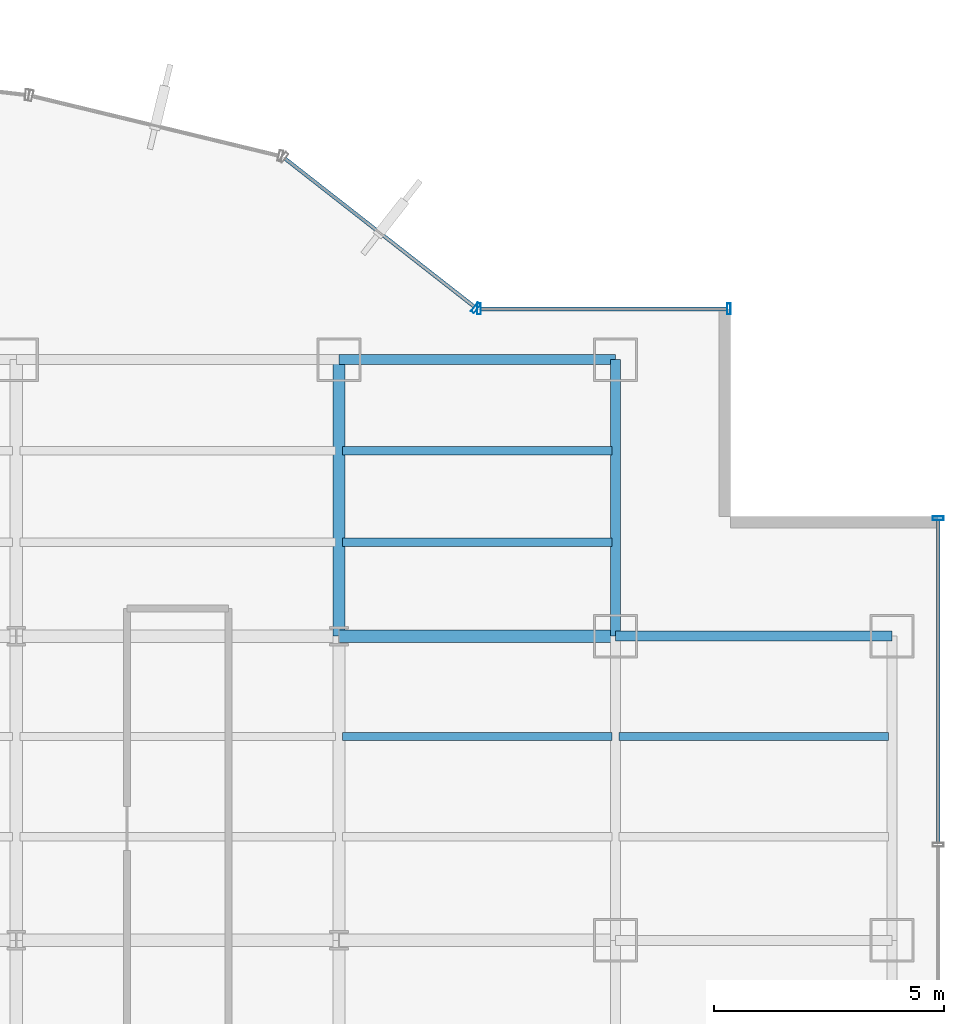
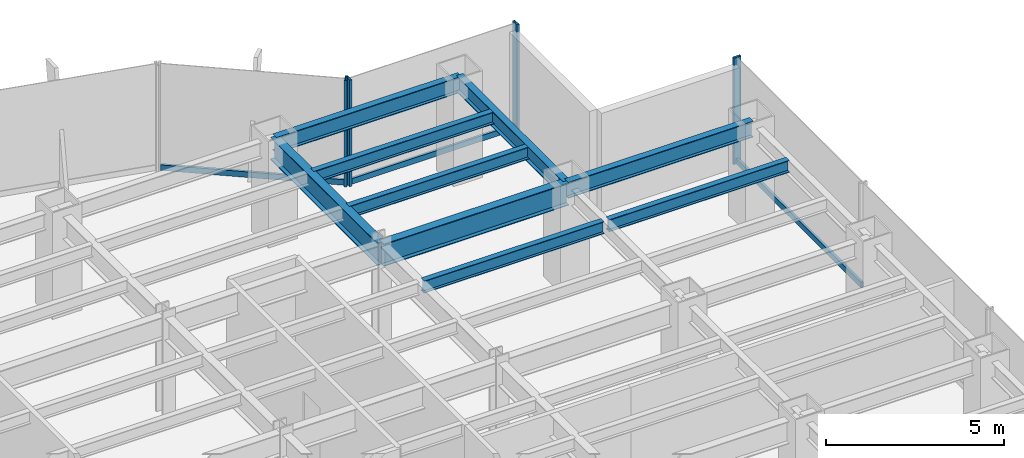
# One storey, part 15 of 22: 9 beams, 7 members, 3 elements without a shape of their own.
"""IFC4 building model written with IfcOpenShell, lengths in metres."""

from ifc_helpers import new_model, si_unit, derived_unit, direction, frame, origin, origin_2d, place, context, subcontext, project, spatial, hollow_rectangle, i_section, extrude, source, transform, mapped, material, material_profile, profile_set, type_object, element, aggregate, save


model = new_model("IFC4")

# Units and contexts
model_context = context("Model", 3, precision=1e-05, world=origin(), true_north=direction((0.0, 1.0)))
body_context = subcontext(model_context, "Body", "Model", "MODEL_VIEW")
ifc_project = project(units=[si_unit("LENGTHUNIT", "METRE"), si_unit("AREAUNIT", "SQUARE_METRE"), si_unit("VOLUMEUNIT", "CUBIC_METRE"), si_unit("PLANEANGLEUNIT", "RADIAN"), si_unit("MASSUNIT", "GRAM", prefix="KILO"), derived_unit("THERMALTRANSMITTANCEUNIT", [(si_unit("POWERUNIT", "WATT"), 1), (si_unit("LENGTHUNIT", "METRE"), -2), (si_unit("THERMODYNAMICTEMPERATUREUNIT", "KELVIN"), -1)])], contexts=[model_context])

# Site, building, storey
site_placement = place(None, origin())
site = spatial("IfcSite", under=ifc_project, at=site_placement, CompositionType="ELEMENT")
building_placement = place(site_placement, origin())
building = spatial("IfcBuilding", under=site, at=building_placement, Name="Skarnbrae Concourse Arena and Tower", CompositionType="ELEMENT")
storey_placement = place(building_placement, frame((0.0, 0.0, 32.5)))
storey = spatial("IfcBuildingStorey", under=building, at=storey_placement, Name="L06", CompositionType="ELEMENT", Elevation=32.5)

# Beams
ifc_material_1 = material(Name="Steel CSA G40.21 350W", Category="steel")
ifc_material_profile_1 = material_profile(ifc_material_1, i_section(OverallWidth=0.214111328125, OverallDepth=0.549072265625, WebThickness=0.0146484375, FlangeThickness=0.023681640625, at=origin_2d()), Name="W530X138")
ifc_profile_set_1 = profile_set([ifc_material_profile_1], Name="Steel CSA G40.21 350W")
beam_type_1 = type_object("IfcBeamType", Name="BM-SPAN-W530X138", PredefinedType="SPANDREL", material=ifc_profile_set_1)
shared_shape_1 = source(origin(), body_context, "Body", "SweptSolid", [
    extrude(i_section(OverallWidth=0.214111328125, OverallDepth=0.549072265625, WebThickness=0.0146484375, FlangeThickness=0.023681640625, at=origin_2d()), origin(), (0.0, 0.0, 1.0), 6.0),
])
for number, where, z_axis, x_axis, name in (
    (1, (55.0, 34.39990234375, 3.12548828125), (1.0, 0.0, 0.0), (0.0, 1.0, 0.0), "L06 Perimeter spandrel Y34.4-9"),
    (2, (49.0, 40.39990234375, 3.12548828125), (1.0, 0.0, 0.0), (0.0, 1.0, 0.0), "L06 Perimeter spandrel Y40.4-7"),
    (3, (55.0, 34.39990234375, 3.12548828125), (0.0, 1.0, 0.0), (-1.0, 0.0, 0.0), "L06 Perimeter spandrel X55.0-5"),
):
    element("IfcBeam", number, at=place(storey_placement, frame(where, z_axis=z_axis, x_axis=x_axis)), inside=storey, type_object=beam_type_1, Name=name, PredefinedType="SPANDREL", context=body_context, shape_type="MappedRepresentation", body=[
        mapped(shared_shape_1, transform((0.0, 0.0, 0.0))),
    ])
ifc_material_profile_2 = material_profile(ifc_material_1, i_section(OverallWidth=0.26806640625, OverallDepth=0.77001953125, WebThickness=0.015625, FlangeThickness=0.025390625, at=origin_2d()), Name="W760X196")
ifc_profile_set_2 = profile_set([ifc_material_profile_2], Name="Steel CSA G40.21 350W")
beam_type_2 = type_object("IfcBeamType", Name="BM-GIRD-W760X196", PredefinedType="BEAM", material=ifc_profile_set_2)
shared_shape_2 = source(origin(), body_context, "Body", "SweptSolid", [
    extrude(i_section(OverallWidth=0.26806640625, OverallDepth=0.77001953125, WebThickness=0.015625, FlangeThickness=0.025390625, at=origin_2d()), origin(), (0.0, 0.0, 1.0), 6.0),
])
for number, where, z_axis, x_axis, name in (
    (4, (49.0, 34.39990234375, 3.014892578125), (1.0, 0.0, 0.0), (0.0, 1.0, 0.0), "L06 Primary E-W girder Y34.4-8"),
    (5, (49.0, 34.39990234375, 3.014892578125), (0.0, 1.0, 0.0), (-1.0, 0.0, 0.0), "L06 Primary N-S girder X49.0-5"),
):
    element("IfcBeam", number, at=place(storey_placement, frame(where, z_axis=z_axis, x_axis=x_axis)), inside=storey, type_object=beam_type_2, Name=name, PredefinedType="BEAM", context=body_context, shape_type="MappedRepresentation", body=[
        mapped(shared_shape_2, transform((0.0, 0.0, 0.0))),
    ])
ifc_material_profile_3 = material_profile(ifc_material_1, i_section(OverallWidth=0.180908203125, OverallDepth=0.4169921875, WebThickness=0.010986328125, FlangeThickness=0.018310546875, at=origin_2d()), Name="W410X85")
ifc_profile_set_3 = profile_set([ifc_material_profile_3], Name="Steel CSA G40.21 350W")
beam_type_3 = type_object("IfcBeamType", Name="BM-JOIST-W410X85", PredefinedType="JOIST", material=ifc_profile_set_3)
shared_shape_3 = source(origin(), body_context, "Body", "SweptSolid", [
    extrude(i_section(OverallWidth=0.180908203125, OverallDepth=0.4169921875, WebThickness=0.010986328125, FlangeThickness=0.018310546875, at=origin_2d()), origin(), (0.0, 0.0, 1.0), 5.83984375),
])
for number, where, z_axis, x_axis, name in (
    (6, (49.080078125, 32.221923828125, 3.19140625), (1.0, 0.0, 0.0), (0.0, 1.0, 0.0), "L06 Secondary floor joist 3.2.8"),
    (7, (55.080078125, 32.221923828125, 3.19140625), (1.0, 0.0, 0.0), (0.0, 1.0, 0.0), "L06 Secondary floor joist 3.2.9"),
    (8, (49.080078125, 36.43994140625, 3.19140625), (1.0, 0.0, 0.0), (0.0, 1.0, 0.0), "L06 Secondary floor joist 4.1.7"),
    (9, (49.080078125, 38.419921875, 3.19140625), (1.0, 0.0, 0.0), (0.0, 1.0, 0.0), "L06 Secondary floor joist 4.2.7"),
):
    element("IfcBeam", number, at=place(storey_placement, frame(where, z_axis=z_axis, x_axis=x_axis)), inside=storey, type_object=beam_type_3, Name=name, PredefinedType="JOIST", context=body_context, shape_type="MappedRepresentation", body=[
        mapped(shared_shape_3, transform((0.0, 0.0, 0.0))),
    ])

# Curtain wall, member
ifc_material_2 = material(Name="Bronze anodised aluminium 6063-T6", Category="aluminium")
curtain_wall_type = type_object("IfcCurtainWallType", Name="CW-SYS-02-LOWZONE", PredefinedType="USERDEFINED", material=ifc_material_2)
curtain_wall_1_placement = place(storey_placement, origin())
curtain_wall_1 = element("IfcCurtainWall", 10, at=curtain_wall_1_placement, inside=storey, type_object=curtain_wall_type, Name="L06 Unitised curtain wall CW-L06-E04", ObjectType="UNITISED CURTAIN WALL", PredefinedType="USERDEFINED")
ifc_material_profile_4 = material_profile(ifc_material_2, hollow_rectangle(XDim=0.080078125, YDim=0.239990234375, WallThickness=0.0048828125, at=origin_2d()), Name="ALU-MULL-80X240")
ifc_profile_set_4 = profile_set([ifc_material_profile_4], Name="Bronze anodised aluminium 6063-T6")
member_type_1 = type_object("IfcMemberType", Name="CWM-CW-02", PredefinedType="MULLION", material=ifc_profile_set_4)
shared_shape_4 = source(origin(), body_context, "Body", "SweptSolid", [
    extrude(hollow_rectangle(XDim=0.080078125, YDim=0.239990234375, WallThickness=0.0048828125, at=origin_2d()), origin(), (0.0, 0.0, 1.0), 3.64990234375),
])
member_1_placement = place(storey_placement, frame((62.0, 36.9599609375, 0.0), z_axis=(0.0, 0.0, 1.0), x_axis=(0.0, 1.0, 0.0)))
member_1 = element("IfcMember", 11, at=member_1_placement, type_object=member_type_1, Name="CW-L06-E04 Mullion 5", PredefinedType="MULLION", context=body_context, shape_type="MappedRepresentation", body=[
    mapped(shared_shape_4, transform((0.0, 0.0, 0.0))),
])

# Curtain wall, members
curtain_wall_2_placement = place(storey_placement, origin())
curtain_wall_2 = element("IfcCurtainWall", 12, at=curtain_wall_2_placement, inside=storey, type_object=curtain_wall_type, Name="L06 Unitised curtain wall CW-L06-E07", ObjectType="UNITISED CURTAIN WALL", PredefinedType="USERDEFINED")
member_2_placement = place(storey_placement, frame((57.4599609375, 41.5, 0.0), z_axis=(0.0, 0.0, 1.0), x_axis=(-1.0, 0.0, 0.0)))
member_2 = element("IfcMember", 13, at=member_2_placement, type_object=member_type_1, Name="CW-L06-E07 Mullion 1", PredefinedType="MULLION", context=body_context, shape_type="MappedRepresentation", body=[
    mapped(shared_shape_4, transform((0.0, 0.0, 0.0))),
])
member_3_placement = place(storey_placement, frame((52.0400390625, 41.5, 0.0), z_axis=(0.0, 0.0, 1.0), x_axis=(-1.0, 0.0, 0.0)))
member_3 = element("IfcMember", 14, at=member_3_placement, type_object=member_type_1, Name="CW-L06-E07 Mullion 2", PredefinedType="MULLION", context=body_context, shape_type="MappedRepresentation", body=[
    mapped(shared_shape_4, transform((0.0, 0.0, 0.0))),
])

# Curtain wall, member
curtain_wall_3_placement = place(storey_placement, origin())
curtain_wall_3 = element("IfcCurtainWall", 15, at=curtain_wall_3_placement, inside=storey, type_object=curtain_wall_type, Name="L06 Unitised curtain wall CW-L06-E08", ObjectType="UNITISED CURTAIN WALL", PredefinedType="USERDEFINED")
member_4_placement = place(storey_placement, frame((51.968505859375, 41.524658203125, 0.0), z_axis=(0.0, 0.0, 1.0), x_axis=(-0.787651726054, 0.616120733658, 0.0)))
member_4 = element("IfcMember", 16, at=member_4_placement, type_object=member_type_1, Name="CW-L06-E08 Mullion 1", PredefinedType="MULLION", context=body_context, shape_type="MappedRepresentation", body=[
    mapped(shared_shape_4, transform((0.0, 0.0, 0.0))),
])

# Member
ifc_material_profile_5 = material_profile(ifc_material_2, hollow_rectangle(XDim=0.080078125, YDim=0.18994140625, WallThickness=0.0048828125, at=origin_2d()), Name="ALU-TRAN-80X190")
ifc_profile_set_5 = profile_set([ifc_material_profile_5], Name="Bronze anodised aluminium 6063-T6")
member_type_2 = type_object("IfcMemberType", Name="CWT-CW-02", PredefinedType="USERDEFINED", material=ifc_profile_set_5)
shared_shape_5 = source(origin(), body_context, "Body", "SweptSolid", [
    extrude(hollow_rectangle(XDim=0.080078125, YDim=0.18994140625, WallThickness=0.0048828125, at=origin_2d()), origin(), (0.0, 0.0, 1.0), 7.0048828125),
])
member_5_placement = place(storey_placement, frame((62.0, 29.9150390625, 0.094970703125), z_axis=(0.0, 1.0, 0.0), x_axis=(-1.0, 0.0, 0.0)))
member_5 = element("IfcMember", 17, at=member_5_placement, type_object=member_type_2, Name="CW-L06-E04 Transom 4", ObjectType="TRANSOM", PredefinedType="USERDEFINED", context=body_context, shape_type="MappedRepresentation", body=[
    mapped(shared_shape_5, transform((0.0, 0.0, 0.0))),
])

aggregate(curtain_wall_1, [member_1, member_5])

shared_shape_6 = source(origin(), body_context, "Body", "SweptSolid", [
    extrude(hollow_rectangle(XDim=0.080078125, YDim=0.18994140625, WallThickness=0.0048828125, at=origin_2d()), origin(), (0.0, 0.0, 1.0), 5.33984375),
])
member_6_placement = place(storey_placement, frame((57.419921875, 41.5, 0.094970703125), z_axis=(-1.0, 0.0, 0.0), x_axis=(0.0, -1.0, 0.0)))
member_6 = element("IfcMember", 18, at=member_6_placement, type_object=member_type_2, Name="CW-L06-E07 Transom 1", ObjectType="TRANSOM", PredefinedType="USERDEFINED", context=body_context, shape_type="MappedRepresentation", body=[
    mapped(shared_shape_6, transform((0.0, 0.0, 0.0))),
])

aggregate(curtain_wall_2, [member_2, member_3, member_6])

shared_shape_7 = source(origin(), body_context, "Body", "SweptSolid", [
    extrude(hollow_rectangle(XDim=0.080078125, YDim=0.18994140625, WallThickness=0.0048828125, at=origin_2d()), origin(), (0.0, 0.0, 1.0), 5.215087890625),
])
member_7_placement = place(storey_placement, frame((51.93701171875, 41.54931640625, 0.094970703125), z_axis=(-0.787650196702, 0.616122688784, 0.0), x_axis=(-0.616122688784, -0.787650196702, 0.0)))
member_7 = element("IfcMember", 19, at=member_7_placement, type_object=member_type_2, Name="CW-L06-E08 Transom 1", ObjectType="TRANSOM", PredefinedType="USERDEFINED", context=body_context, shape_type="MappedRepresentation", body=[
    mapped(shared_shape_7, transform((0.0, 0.0, 0.0))),
])

aggregate(curtain_wall_3, [member_4, member_7])

save(model, "model.ifc")
